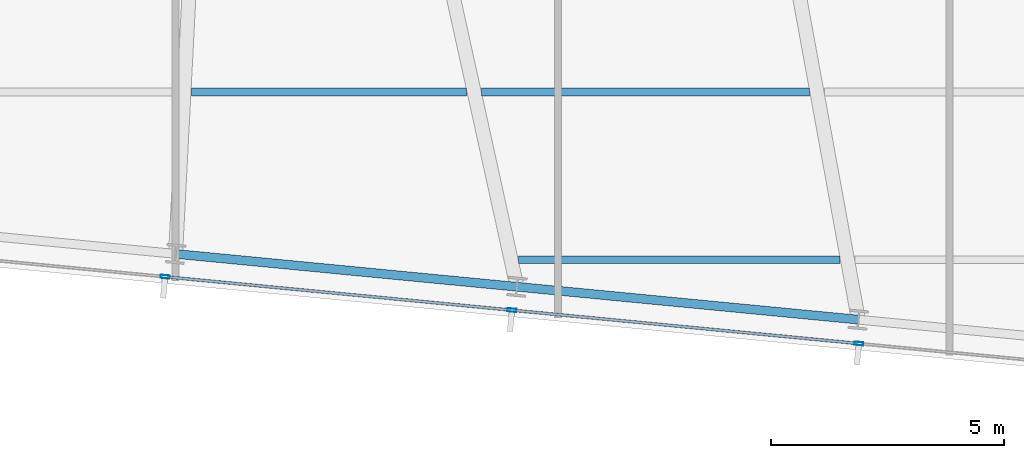
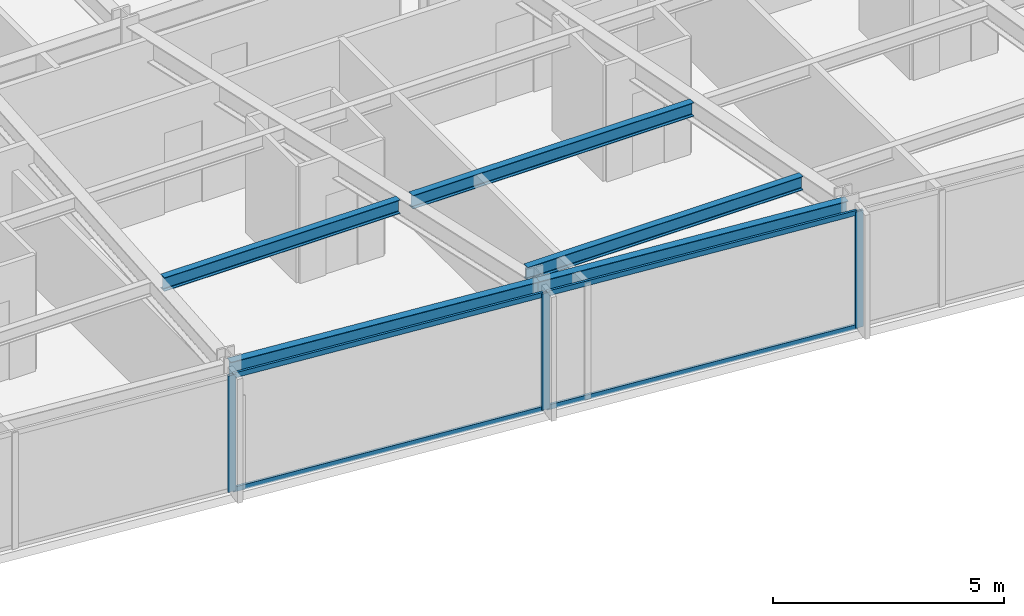
# One storey, part 6 of 37: 7 members, 5 beams, 1 element without a shape of its own.
"""IFC4 building model written with IfcOpenShell, lengths in metres."""

from ifc_helpers import new_model, si_unit, direction, frame, origin, origin_2d, place, context, subcontext, project, spatial, hollow_rectangle, i_section, extrude, material, material_profile, profile_set, type_object, element, aggregate, save


model = new_model("IFC4")

# Units and contexts
model_context = context("Model", 3, precision=1e-05, world=origin(), true_north=direction((0.0, 1.0)))
body_context = subcontext(model_context, "Body", "Model", "MODEL_VIEW")
ifc_project = project(units=[si_unit("LENGTHUNIT", "METRE"), si_unit("AREAUNIT", "SQUARE_METRE"), si_unit("VOLUMEUNIT", "CUBIC_METRE"), si_unit("PLANEANGLEUNIT", "RADIAN"), si_unit("MASSUNIT", "GRAM", prefix="KILO")], contexts=[model_context])

# Site, building, storey
site_placement = place(None, origin())
site = spatial("IfcSite", under=ifc_project, at=site_placement, CompositionType="ELEMENT")
building_placement = place(site_placement, origin())
building = spatial("IfcBuilding", under=site, at=building_placement, Name="Yelkora Congress Tower", CompositionType="ELEMENT")
storey_placement = place(building_placement, frame((0.0, 0.0, 168.800048828125)))
storey = spatial("IfcBuildingStorey", under=building, at=storey_placement, Name="L46", CompositionType="ELEMENT", Elevation=168.800048828125)

# Beams
ifc_material_1 = material(Name="Steel S355J2", Category="steel")
ifc_material_profile_1 = material_profile(ifc_material_1, i_section(OverallWidth=0.169921875, OverallDepth=0.360107421875, WebThickness=0.008056640625, FlangeThickness=0.0126953125, FilletRadius=0.01806640625, at=origin_2d()), Name="IPE 360")
ifc_profile_set_1 = profile_set([ifc_material_profile_1], Name="Steel S355J2")
beam_type_1 = type_object("IfcBeamType", Name="BM-JOIST-IPE360", PredefinedType="JOIST", material=ifc_profile_set_1)
beam_1_placement = place(storey_placement, frame((25.921630859375, 12.8212890625, 2.89990234375), z_axis=(1.0, 0.0, 0.0), x_axis=(0.0, 1.0, 0.0)))
element("IfcBeam", 1, at=beam_1_placement, inside=storey, type_object=beam_type_1, Name="L46 Composite Floor Joist 1", PredefinedType="JOIST", context=body_context, shape_type="SweptSolid", body=[
    extrude(i_section(OverallWidth=0.169921875, OverallDepth=0.360107421875, WebThickness=0.008056640625, FlangeThickness=0.0126953125, FilletRadius=0.01806640625, at=origin_2d()), origin(), (0.0, 0.0, 1.0), 6.896484375),
])
beam_2_placement = place(storey_placement, frame((18.905517578125, 16.421142578125, 2.89990234375), z_axis=(1.0, 0.0, 0.0), x_axis=(0.0, 1.0, 0.0)))
element("IfcBeam", 2, at=beam_2_placement, inside=storey, type_object=beam_type_1, Name="L46 Composite Floor Joist 7", PredefinedType="JOIST", context=body_context, shape_type="SweptSolid", body=[
    extrude(i_section(OverallWidth=0.169921875, OverallDepth=0.360107421875, WebThickness=0.008056640625, FlangeThickness=0.0126953125, FilletRadius=0.01806640625, at=origin_2d()), origin(), (0.0, 0.0, 1.0), 5.904541015625),
])
beam_3_placement = place(storey_placement, frame((25.130126953125, 16.421142578125, 2.89990234375), z_axis=(1.0, 0.0, 0.0), x_axis=(0.0, 1.0, 0.0)))
element("IfcBeam", 3, at=beam_3_placement, inside=storey, type_object=beam_type_1, Name="L46 Composite Floor Joist 8", PredefinedType="JOIST", context=body_context, shape_type="SweptSolid", body=[
    extrude(i_section(OverallWidth=0.169921875, OverallDepth=0.360107421875, WebThickness=0.008056640625, FlangeThickness=0.0126953125, FilletRadius=0.01806640625, at=origin_2d()), origin(), (0.0, 0.0, 1.0), 7.03125),
])
ifc_material_profile_2 = material_profile(ifc_material_1, i_section(OverallWidth=0.18994140625, OverallDepth=0.449951171875, WebThickness=0.009521484375, FlangeThickness=0.0146484375, FilletRadius=0.02099609375, at=origin_2d()), Name="IPE 450")
ifc_profile_set_2 = profile_set([ifc_material_profile_2], Name="Steel S355J2")
beam_type_2 = type_object("IfcBeamType", Name="BM-SPAN-IPE450", PredefinedType="SPANDREL", material=ifc_profile_set_2)
beam_4_placement = place(storey_placement, frame((18.56591796875, 12.947021484375, 2.85498046875), z_axis=(0.99539363353, -0.09587238564, 0.0), x_axis=(0.09587238564, 0.99539363353, 0.0)))
element("IfcBeam", 4, at=beam_4_placement, inside=storey, type_object=beam_type_2, Name="L46 Perimeter Beam 4", PredefinedType="SPANDREL", context=body_context, shape_type="SweptSolid", body=[
    extrude(i_section(OverallWidth=0.18994140625, OverallDepth=0.449951171875, WebThickness=0.009521484375, FlangeThickness=0.0146484375, FilletRadius=0.02099609375, at=origin_2d()), origin(), (0.0, 0.0, 1.0), 7.35693359375),
])
beam_5_placement = place(storey_placement, frame((25.888916015625, 12.24169921875, 2.85498046875), z_axis=(0.995397409467, -0.095833173935, 0.0), x_axis=(0.095833173935, 0.995397409467, 0.0)))
element("IfcBeam", 5, at=beam_5_placement, inside=storey, type_object=beam_type_2, Name="L46 Perimeter Beam 5", PredefinedType="SPANDREL", context=body_context, shape_type="SweptSolid", body=[
    extrude(i_section(OverallWidth=0.18994140625, OverallDepth=0.449951171875, WebThickness=0.009521484375, FlangeThickness=0.0146484375, FilletRadius=0.02099609375, at=origin_2d()), origin(), (0.0, 0.0, 1.0), 7.357421875),
])

# Curtain wall, members
ifc_material_2 = material(Name="Anodised aluminium and insulated glass", Category="aluminium")
curtain_wall_type = type_object("IfcCurtainWallType", Name="CW-SYS-B3", PredefinedType="NOTDEFINED", material=ifc_material_2)
curtain_wall_placement = place(storey_placement, origin())
curtain_wall = element("IfcCurtainWall", 6, at=curtain_wall_placement, inside=storey, type_object=curtain_wall_type, Name="L46 Unitised Curtain Wall 20", PredefinedType="NOTDEFINED")
ifc_material_3 = material(Name="Anodised aluminium 6063-T6", Category="aluminium")
ifc_material_profile_3 = material_profile(ifc_material_3, hollow_rectangle(XDim=0.070068359375, YDim=0.18994140625, WallThickness=0.00390625, at=origin_2d()), Name="ALU 70x190x4")
ifc_profile_set_3 = profile_set([ifc_material_profile_3], Name="Anodised aluminium 6063-T6")
member_type_1 = type_object("IfcMemberType", Name="MEM-ML-B3", PredefinedType="MULLION", material=ifc_profile_set_3)
member_1_placement = place(storey_placement, frame((33.2216796875, 11.0234375, 0.0), z_axis=(0.0, 0.0, 1.0), x_axis=(-0.095844680679, -0.995396301573, 0.0)))
member_1 = element("IfcMember", 7, at=member_1_placement, type_object=member_type_1, Name="CW-B3 mullion 4", PredefinedType="MULLION", context=body_context, shape_type="SweptSolid", body=[
    extrude(hollow_rectangle(XDim=0.070068359375, YDim=0.18994140625, WallThickness=0.00390625, at=origin_2d()), origin(), (0.0, 0.0, 1.0), 3.079833984375),
])
member_2_placement = place(storey_placement, frame((25.78173828125, 11.73974609375, 0.0), z_axis=(0.0, 0.0, 1.0), x_axis=(-0.095844680679, -0.995396301573, 0.0)))
member_2 = element("IfcMember", 8, at=member_2_placement, type_object=member_type_1, Name="CW-B3 mullion 5", PredefinedType="MULLION", context=body_context, shape_type="SweptSolid", body=[
    extrude(hollow_rectangle(XDim=0.070068359375, YDim=0.18994140625, WallThickness=0.00390625, at=origin_2d()), origin(), (0.0, 0.0, 1.0), 3.079833984375),
])
member_3_placement = place(storey_placement, frame((18.342041015625, 12.4560546875, 0.0), z_axis=(0.0, 0.0, 1.0), x_axis=(-0.095844680679, -0.995396301573, 0.0)))
member_3 = element("IfcMember", 9, at=member_3_placement, type_object=member_type_1, Name="CW-B3 mullion 6", PredefinedType="MULLION", context=body_context, shape_type="SweptSolid", body=[
    extrude(hollow_rectangle(XDim=0.070068359375, YDim=0.18994140625, WallThickness=0.00390625, at=origin_2d()), origin(), (0.0, 0.0, 1.0), 3.079833984375),
])
ifc_material_profile_4 = material_profile(ifc_material_3, hollow_rectangle(XDim=0.06005859375, YDim=0.1298828125, WallThickness=0.00390625, at=origin_2d()), Name="ALU 60x130x4")
ifc_profile_set_4 = profile_set([ifc_material_profile_4], Name="Anodised aluminium 6063-T6")
member_type_2 = type_object("IfcMemberType", Name="MEM-TR-B3", PredefinedType="USERDEFINED", material=ifc_profile_set_4)
member_4_placement = place(storey_placement, frame((33.18701171875, 11.02685546875, 0.030029296875), z_axis=(-0.995398934959, 0.095817327669, 0.0), x_axis=(-0.095817327669, -0.995398934959, 0.0)))
member_4 = element("IfcMember", 10, at=member_4_placement, type_object=member_type_2, Name="CW-B3 transom 4.1", ObjectType="TRANSOM", PredefinedType="USERDEFINED", context=body_context, shape_type="SweptSolid", body=[
    extrude(hollow_rectangle(XDim=0.06005859375, YDim=0.1298828125, WallThickness=0.00390625, at=origin_2d()), origin(), (0.0, 0.0, 1.0), 7.404541015625),
])
member_5_placement = place(storey_placement, frame((33.18701171875, 11.02685546875, 3.050048828125), z_axis=(-0.995398934959, 0.095817327669, 0.0), x_axis=(-0.095817327669, -0.995398934959, 0.0)))
member_5 = element("IfcMember", 11, at=member_5_placement, type_object=member_type_2, Name="CW-B3 transom 4.2", ObjectType="TRANSOM", PredefinedType="USERDEFINED", context=body_context, shape_type="SweptSolid", body=[
    extrude(hollow_rectangle(XDim=0.06005859375, YDim=0.1298828125, WallThickness=0.00390625, at=origin_2d()), origin(), (0.0, 0.0, 1.0), 7.404541015625),
])
member_6_placement = place(storey_placement, frame((25.7470703125, 11.7431640625, 0.030029296875), z_axis=(-0.995395789658, 0.095849997036, 0.0), x_axis=(-0.095849997036, -0.995395789658, 0.0)))
member_6 = element("IfcMember", 12, at=member_6_placement, type_object=member_type_2, Name="CW-B3 transom 5.1", ObjectType="TRANSOM", PredefinedType="USERDEFINED", context=body_context, shape_type="SweptSolid", body=[
    extrude(hollow_rectangle(XDim=0.06005859375, YDim=0.1298828125, WallThickness=0.00390625, at=origin_2d()), origin(), (0.0, 0.0, 1.0), 7.404541015625),
])
member_7_placement = place(storey_placement, frame((25.7470703125, 11.7431640625, 3.050048828125), z_axis=(-0.995395789658, 0.095849997036, 0.0), x_axis=(-0.095849997036, -0.995395789658, 0.0)))
member_7 = element("IfcMember", 13, at=member_7_placement, type_object=member_type_2, Name="CW-B3 transom 5.2", ObjectType="TRANSOM", PredefinedType="USERDEFINED", context=body_context, shape_type="SweptSolid", body=[
    extrude(hollow_rectangle(XDim=0.06005859375, YDim=0.1298828125, WallThickness=0.00390625, at=origin_2d()), origin(), (0.0, 0.0, 1.0), 7.404541015625),
])
aggregate(curtain_wall, [member_1, member_2, member_3, member_4, member_5, member_6, member_7])

save(model, "model.ifc")
